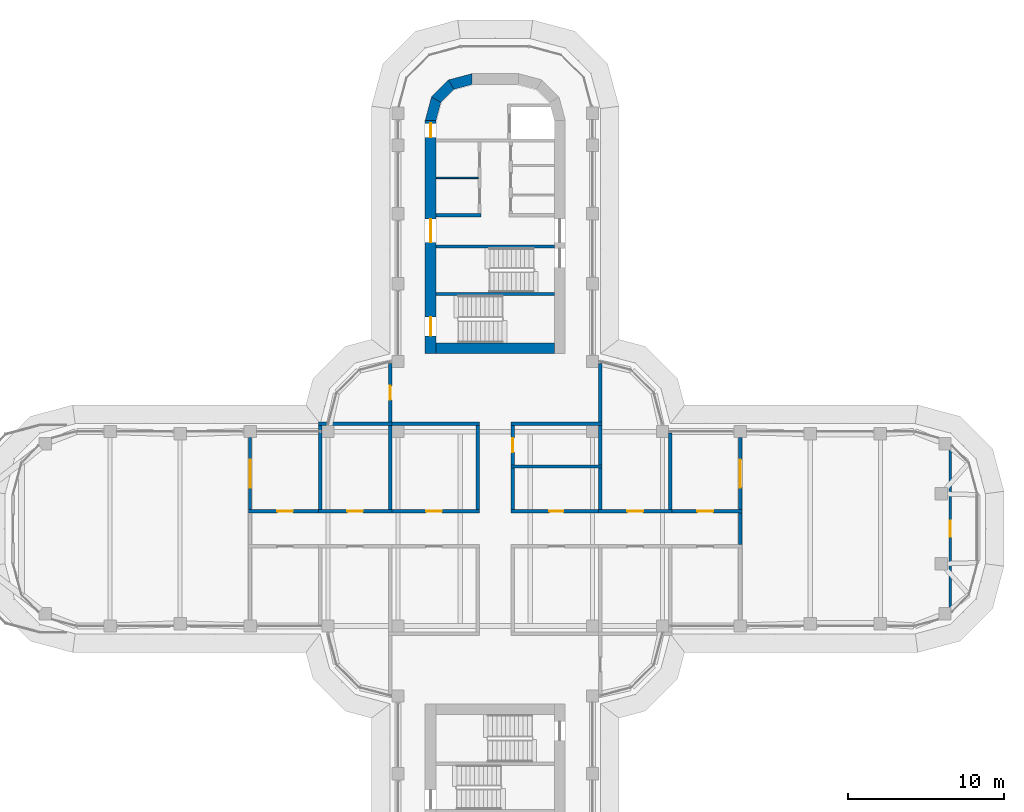
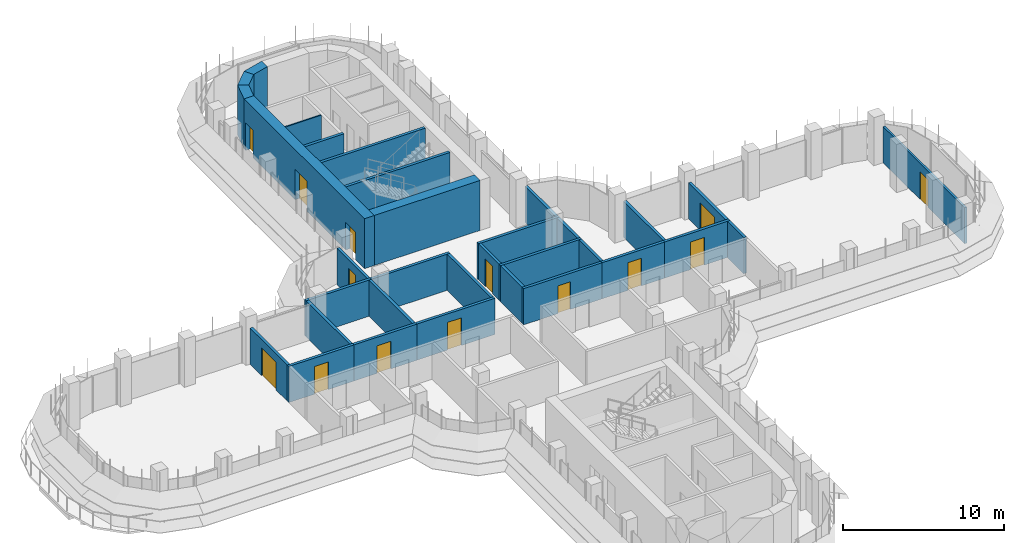
# One storey, part 15 of 20: 33 walls, 14 doors, 14 openings.
"""IFC4 building model written with IfcOpenShell, lengths in metres."""

from ifc_helpers import new_model, si_unit, direction, frame, frame_2d, origin, place, context, subcontext, project, spatial, polyline, rectangle, outline, extrude, material, layer, layer_set, type_object, element, fill, save


model = new_model("IFC4")

# Units and contexts
model_context = context("Model", 3, precision=1e-05, world=origin(), true_north=direction((0.0, 1.0)))
body_context = subcontext(model_context, "Body", "Model", "MODEL_VIEW")
ifc_project = project(units=[si_unit("LENGTHUNIT", "METRE"), si_unit("AREAUNIT", "SQUARE_METRE"), si_unit("VOLUMEUNIT", "CUBIC_METRE"), si_unit("PLANEANGLEUNIT", "RADIAN"), si_unit("MASSUNIT", "GRAM", prefix="KILO")], contexts=[model_context])

# Site, building, storey
site_placement = place(None, origin())
site = spatial("IfcSite", under=ifc_project, at=site_placement, CompositionType="ELEMENT")
building_placement = place(site_placement, origin())
building = spatial("IfcBuilding", under=site, at=building_placement, Name="Zarbagh Exchange Tower", CompositionType="ELEMENT")
storey_placement = place(building_placement, frame((0.0, 0.0, 186.60009765625)))
storey = spatial("IfcBuildingStorey", under=building, at=storey_placement, Name="L45", CompositionType="ELEMENT", Elevation=186.60009765625)

# Wall
ifc_material_1 = material(Name="Dense blockwork", Category="masonry")
ifc_layer_1 = layer(ifc_material_1, 0.10009765625)
ifc_layer_set_1 = layer_set([ifc_layer_1], Name="Core partition 100 mm blockwork")
wall_type_1 = type_object("IfcWallType", Name="Core partition 100 mm blockwork", PredefinedType="PARTITIONING", material=ifc_layer_set_1)
wall_1_placement = place(storey_placement, frame((-3.800048828125, 22.550048828125, 0.0), z_axis=(0.0, 0.0, 1.0), x_axis=(1.0, 0.0, 0.0)))
element("IfcWall", 1, at=wall_1_placement, inside=storey, type_object=wall_type_1, Name="North core partition wall CUT-W-580", PredefinedType="PARTITIONING", context=body_context, shape_type="SweptSolid", body=[
    extrude(rectangle(XDim=2.699951171875, YDim=0.10009765625, at=frame_2d((1.35009765625, 0.0))), origin(), (0.0, 0.0, 1.0), 3.64990234375),
])

# Wall, opening, door
ifc_material_2 = material(Name="Plasterboard partition")
ifc_layer_2 = layer(ifc_material_2, 0.14990234375)
ifc_layer_set_2 = layer_set([ifc_layer_2], Name="PARTITION 150")
wall_type_2 = type_object("IfcWallType", Name="PARTITION 150", PredefinedType="PARTITIONING", material=ifc_layer_set_2)
wall_2_placement = place(storey_placement, frame((29.25, 5.074951171875, 0.0), z_axis=(0.0, 0.0, 1.0), x_axis=(0.0, -1.0, 0.0)))
wall_2 = element("IfcWall", 2, at=wall_2_placement, inside=storey, type_object=wall_type_2, Name="Partition W-2042", PredefinedType="PARTITIONING", context=body_context, shape_type="SweptSolid", body=[
    extrude(rectangle(XDim=10.14990234375, YDim=0.14990234375, at=frame_2d((5.074951171875, 0.0))), origin(), (0.0, 0.0, 1.0), 2.74560546875),
])
opening_1_placement = place(wall_2_placement, frame((4.574951171875, 0.0, 0.0)))
opening_1 = element("IfcOpeningElement", 3, at=opening_1_placement, cuts=wall_2, Name="Opening D-2001", PredefinedType="OPENING", context=body_context, shape_type="SweptSolid", body=[
    extrude(rectangle(XDim=1.0, YDim=2.10009765625, at=frame_2d((0.5, 1.050048828125))), frame((0.0, 0.0849609375, 0.0), z_axis=(0.0, -1.0, 0.0), x_axis=(1.0, 0.0, 0.0)), (0.0, 0.0, 1.0), 0.169921875),
])
ifc_material_3 = material(Name="Timber door leaf", Category="wood")
door_type_1 = type_object("IfcDoorType", Name="DOOR 1000 X 2100", OperationType="NOTDEFINED", PredefinedType="DOOR", material=ifc_material_3)
door_1_placement = place(opening_1_placement, origin())
door_1 = element("IfcDoor", 4, at=door_1_placement, inside=storey, type_object=door_type_1, Name="Door D-2001", OperationType="SINGLE_SWING_RIGHT", OverallHeight=2.10009765625, OverallWidth=1.0, PredefinedType="DOOR", context=body_context, shape_type="SweptSolid", body=[
    extrude(rectangle(XDim=1.0, YDim=2.10009765625, at=frame_2d((0.5, 1.050048828125))), frame((0.0, 0.02490234375, 0.0), z_axis=(0.0, -1.0, 0.0), x_axis=(1.0, 0.0, 0.0)), (0.0, 0.0, 1.0), 0.050048828125),
])
fill(opening_1, door_1)

ifc_material_4 = material(Name="Fire-rated plasterboard partition")
ifc_layer_3 = layer(ifc_material_4, 0.199951171875)
ifc_layer_set_3 = layer_set([ifc_layer_3], Name="RATED PARTITION 200")
wall_type_3 = type_object("IfcWallType", Name="RATED PARTITION 200", PredefinedType="PARTITIONING", material=ifc_layer_set_3)
wall_3_placement = place(storey_placement, frame((1.02490234375, 1.125, 0.0), z_axis=(0.0, 0.0, 1.0), x_axis=(1.0, 0.0, 0.0)))
wall_3 = element("IfcWall", 5, at=wall_3_placement, inside=storey, type_object=wall_type_3, Name="Partition W-2001", PredefinedType="PARTITIONING", context=body_context, shape_type="SweptSolid", body=[
    extrude(rectangle(XDim=5.8251953125, YDim=0.199951171875, at=frame_2d((2.91259765625, 0.0))), origin(), (0.0, 0.0, 1.0), 2.74560546875),
])
opening_2_placement = place(wall_3_placement, frame((2.46240234375, 0.0, 0.0)))
opening_2 = element("IfcOpeningElement", 6, at=opening_2_placement, cuts=wall_3, Name="Opening D-2005", PredefinedType="OPENING", context=body_context, shape_type="SweptSolid", body=[
    extrude(rectangle(XDim=0.89990234375, YDim=2.10009765625, at=frame_2d((0.449951171875, 1.050048828125))), frame((0.0, 0.10986328125, 0.0), z_axis=(0.0, -1.0, 0.0), x_axis=(1.0, 0.0, 0.0)), (0.0, 0.0, 1.0), 0.219970703125),
])
door_type_2 = type_object("IfcDoorType", Name="DOOR 900 X 2100", OperationType="NOTDEFINED", PredefinedType="DOOR", material=ifc_material_3)
door_2_placement = place(opening_2_placement, origin())
door_2 = element("IfcDoor", 7, at=door_2_placement, inside=storey, type_object=door_type_2, Name="Door D-2005", OperationType="SINGLE_SWING_RIGHT", OverallHeight=2.10009765625, OverallWidth=0.89990234375, PredefinedType="DOOR", context=body_context, shape_type="SweptSolid", body=[
    extrude(rectangle(XDim=0.89990234375, YDim=2.10009765625, at=frame_2d((0.449951171875, 1.050048828125))), frame((0.0, 0.02490234375, 0.0), z_axis=(0.0, -1.0, 0.0), x_axis=(1.0, 0.0, 0.0)), (0.0, 0.0, 1.0), 0.050048828125),
])
fill(opening_2, door_2)

wall_4_placement = place(storey_placement, frame((6.64990234375, 1.125, 0.0), z_axis=(0.0, 0.0, 1.0), x_axis=(1.0, 0.0, 0.0)))
wall_4 = element("IfcWall", 8, at=wall_4_placement, inside=storey, type_object=wall_type_3, Name="Partition W-2002", PredefinedType="PARTITIONING", context=body_context, shape_type="SweptSolid", body=[
    extrude(rectangle(XDim=4.7001953125, YDim=0.199951171875, at=frame_2d((2.35009765625, 0.0))), origin(), (0.0, 0.0, 1.0), 2.74560546875),
])
opening_3_placement = place(wall_4_placement, frame((1.85009765625, 0.0, 0.0)))
opening_3 = element("IfcOpeningElement", 9, at=opening_3_placement, cuts=wall_4, Name="Opening D-2007", PredefinedType="OPENING", context=body_context, shape_type="SweptSolid", body=[
    extrude(rectangle(XDim=1.0, YDim=2.10009765625, at=frame_2d((0.5, 1.050048828125))), frame((0.0, 0.10986328125, 0.0), z_axis=(0.0, -1.0, 0.0), x_axis=(1.0, 0.0, 0.0)), (0.0, 0.0, 1.0), 0.219970703125),
])
ifc_material_5 = material(Name="Steel door set", Category="steel")
door_type_3 = type_object("IfcDoorType", Name="FIRE DOOR 1000 X 2100 FD30S", OperationType="NOTDEFINED", PredefinedType="DOOR", material=ifc_material_5)
door_3_placement = place(opening_3_placement, origin())
door_3 = element("IfcDoor", 10, at=door_3_placement, inside=storey, type_object=door_type_3, Name="Door D-2007", OperationType="SINGLE_SWING_RIGHT", OverallHeight=2.10009765625, OverallWidth=1.0, PredefinedType="DOOR", context=body_context, shape_type="SweptSolid", body=[
    extrude(rectangle(XDim=1.0, YDim=2.10009765625, at=frame_2d((0.5, 1.050048828125))), frame((0.0, 0.02490234375, 0.0), z_axis=(0.0, -1.0, 0.0), x_axis=(1.0, 0.0, 0.0)), (0.0, 0.0, 1.0), 0.050048828125),
])
fill(opening_3, door_3)

wall_5_placement = place(storey_placement, frame((-6.85009765625, 1.125, 0.0), z_axis=(0.0, 0.0, 1.0), x_axis=(1.0, 0.0, 0.0)))
wall_5 = element("IfcWall", 11, at=wall_5_placement, inside=storey, type_object=wall_type_3, Name="Partition W-2003", PredefinedType="PARTITIONING", context=body_context, shape_type="SweptSolid", body=[
    extrude(rectangle(XDim=5.8251953125, YDim=0.199951171875, at=frame_2d((2.91259765625, 0.0))), origin(), (0.0, 0.0, 1.0), 2.74560546875),
])
opening_4_placement = place(wall_5_placement, frame((2.41259765625, 0.0, 0.0)))
opening_4 = element("IfcOpeningElement", 12, at=opening_4_placement, cuts=wall_5, Name="Opening D-2008", PredefinedType="OPENING", context=body_context, shape_type="SweptSolid", body=[
    extrude(rectangle(XDim=1.0, YDim=2.10009765625, at=frame_2d((0.5, 1.050048828125))), frame((0.0, 0.10986328125, 0.0), z_axis=(0.0, -1.0, 0.0), x_axis=(1.0, 0.0, 0.0)), (0.0, 0.0, 1.0), 0.219970703125),
])
door_4_placement = place(opening_4_placement, origin())
door_4 = element("IfcDoor", 13, at=door_4_placement, inside=storey, type_object=door_type_3, Name="Door D-2008", OperationType="SINGLE_SWING_RIGHT", OverallHeight=2.10009765625, OverallWidth=1.0, PredefinedType="DOOR", context=body_context, shape_type="SweptSolid", body=[
    extrude(rectangle(XDim=1.0, YDim=2.10009765625, at=frame_2d((0.5, 1.050048828125))), frame((0.0, 0.02490234375, 0.0), z_axis=(0.0, -1.0, 0.0), x_axis=(1.0, 0.0, 0.0)), (0.0, 0.0, 1.0), 0.050048828125),
])
fill(opening_4, door_4)

wall_6_placement = place(storey_placement, frame((-11.35009765625, 1.125, 0.0), z_axis=(0.0, 0.0, 1.0), x_axis=(1.0, 0.0, 0.0)))
wall_6 = element("IfcWall", 14, at=wall_6_placement, inside=storey, type_object=wall_type_3, Name="Partition W-2004", PredefinedType="PARTITIONING", context=body_context, shape_type="SweptSolid", body=[
    extrude(rectangle(XDim=4.7001953125, YDim=0.199951171875, at=frame_2d((2.35009765625, 0.0))), origin(), (0.0, 0.0, 1.0), 2.74560546875),
])
opening_5_placement = place(wall_6_placement, frame((1.85009765625, 0.0, 0.0)))
opening_5 = element("IfcOpeningElement", 15, at=opening_5_placement, cuts=wall_6, Name="Opening D-2009", PredefinedType="OPENING", context=body_context, shape_type="SweptSolid", body=[
    extrude(rectangle(XDim=1.0, YDim=2.10009765625, at=frame_2d((0.5, 1.050048828125))), frame((0.0, 0.10986328125, 0.0), z_axis=(0.0, -1.0, 0.0), x_axis=(1.0, 0.0, 0.0)), (0.0, 0.0, 1.0), 0.219970703125),
])
door_5_placement = place(opening_5_placement, origin())
door_5 = element("IfcDoor", 16, at=door_5_placement, inside=storey, type_object=door_type_3, Name="Door D-2009", OperationType="SINGLE_SWING_RIGHT", OverallHeight=2.10009765625, OverallWidth=1.0, PredefinedType="DOOR", context=body_context, shape_type="SweptSolid", body=[
    extrude(rectangle(XDim=1.0, YDim=2.10009765625, at=frame_2d((0.5, 1.050048828125))), frame((0.0, 0.02490234375, 0.0), z_axis=(0.0, -1.0, 0.0), x_axis=(1.0, 0.0, 0.0)), (0.0, 0.0, 1.0), 0.050048828125),
])
fill(opening_5, door_5)

wall_7_placement = place(storey_placement, frame((11.14990234375, 1.125, 0.0), z_axis=(0.0, 0.0, 1.0), x_axis=(1.0, 0.0, 0.0)))
wall_7 = element("IfcWall", 17, at=wall_7_placement, inside=storey, type_object=wall_type_3, Name="Partition W-2009", PredefinedType="PARTITIONING", context=body_context, shape_type="SweptSolid", body=[
    extrude(rectangle(XDim=4.7001953125, YDim=0.199951171875, at=frame_2d((2.35009765625, 0.0))), origin(), (0.0, 0.0, 1.0), 2.74560546875),
])
opening_6_placement = place(wall_7_placement, frame((1.85009765625, 0.0, 0.0)))
opening_6 = element("IfcOpeningElement", 18, at=opening_6_placement, cuts=wall_7, Name="Opening D-2003", PredefinedType="OPENING", context=body_context, shape_type="SweptSolid", body=[
    extrude(rectangle(XDim=1.0, YDim=2.10009765625, at=frame_2d((0.5, 1.050048828125))), frame((0.0, 0.10986328125, 0.0), z_axis=(0.0, -1.0, 0.0), x_axis=(1.0, 0.0, 0.0)), (0.0, 0.0, 1.0), 0.219970703125),
])
door_6_placement = place(opening_6_placement, origin())
door_6 = element("IfcDoor", 19, at=door_6_placement, inside=storey, type_object=door_type_3, Name="Door D-2003", OperationType="SINGLE_SWING_RIGHT", OverallHeight=2.10009765625, OverallWidth=1.0, PredefinedType="DOOR", context=body_context, shape_type="SweptSolid", body=[
    extrude(rectangle(XDim=1.0, YDim=2.10009765625, at=frame_2d((0.5, 1.050048828125))), frame((0.0, 0.02490234375, 0.0), z_axis=(0.0, -1.0, 0.0), x_axis=(1.0, 0.0, 0.0)), (0.0, 0.0, 1.0), 0.050048828125),
])
fill(opening_6, door_6)

# Wall
wall_8_placement = place(storey_placement, frame((15.75, -1.02490234375, 0.0), z_axis=(0.0, 0.0, 1.0), x_axis=(0.0, 1.0, 0.0)))
element("IfcWall", 20, at=wall_8_placement, inside=storey, type_object=wall_type_3, Name="Partition W-2011", PredefinedType="PARTITIONING", context=body_context, shape_type="SweptSolid", body=[
    extrude(rectangle(XDim=2.0498046875, YDim=0.199951171875, at=frame_2d((1.02490234375, 0.0))), origin(), (0.0, 0.0, 1.0), 2.74560546875),
])

# Wall, opening, door
wall_9_placement = place(storey_placement, frame((-15.85009765625, 1.125, 0.0), z_axis=(0.0, 0.0, 1.0), x_axis=(1.0, 0.0, 0.0)))
wall_9 = element("IfcWall", 21, at=wall_9_placement, inside=storey, type_object=wall_type_3, Name="Partition W-2012", PredefinedType="PARTITIONING", context=body_context, shape_type="SweptSolid", body=[
    extrude(rectangle(XDim=4.7001953125, YDim=0.199951171875, at=frame_2d((2.35009765625, 0.0))), origin(), (0.0, 0.0, 1.0), 2.74560546875),
])
opening_7_placement = place(wall_9_placement, frame((1.85009765625, 0.0, 0.0)))
opening_7 = element("IfcOpeningElement", 22, at=opening_7_placement, cuts=wall_9, Name="Opening D-2017", PredefinedType="OPENING", context=body_context, shape_type="SweptSolid", body=[
    extrude(rectangle(XDim=1.0, YDim=2.10009765625, at=frame_2d((0.5, 1.050048828125))), frame((0.0, 0.10986328125, 0.0), z_axis=(0.0, -1.0, 0.0), x_axis=(1.0, 0.0, 0.0)), (0.0, 0.0, 1.0), 0.219970703125),
])
door_7_placement = place(opening_7_placement, origin())
door_7 = element("IfcDoor", 23, at=door_7_placement, inside=storey, type_object=door_type_3, Name="Door D-2017", OperationType="SINGLE_SWING_RIGHT", OverallHeight=2.10009765625, OverallWidth=1.0, PredefinedType="DOOR", context=body_context, shape_type="SweptSolid", body=[
    extrude(rectangle(XDim=1.0, YDim=2.10009765625, at=frame_2d((0.5, 1.050048828125))), frame((0.0, 0.02490234375, 0.0), z_axis=(0.0, -1.0, 0.0), x_axis=(1.0, 0.0, 0.0)), (0.0, 0.0, 1.0), 0.050048828125),
])
fill(opening_7, door_7)

# Wall
wall_10_placement = place(storey_placement, frame((1.125, 1.22509765625, 0.0), z_axis=(0.0, 0.0, 1.0), x_axis=(0.0, 1.0, 0.0)))
element("IfcWall", 24, at=wall_10_placement, inside=storey, type_object=wall_type_3, Name="Partition W-2015", PredefinedType="PARTITIONING", context=body_context, shape_type="SweptSolid", body=[
    extrude(rectangle(XDim=2.6748046875, YDim=0.199951171875, at=frame_2d((1.33740234375, 0.0))), origin(), (0.0, 0.0, 1.0), 2.74560546875),
])

# Wall, opening, door
wall_11_placement = place(storey_placement, frame((1.125, 6.64990234375, 0.0), z_axis=(0.0, 0.0, 1.0), x_axis=(0.0, -1.0, 0.0)))
wall_11 = element("IfcWall", 25, at=wall_11_placement, inside=storey, type_object=wall_type_3, Name="Partition W-2016", PredefinedType="PARTITIONING", context=body_context, shape_type="SweptSolid", body=[
    extrude(rectangle(XDim=2.5498046875, YDim=0.199951171875, at=frame_2d((1.27490234375, 0.0))), origin(), (0.0, 0.0, 1.0), 2.74560546875),
])
opening_8_placement = place(wall_11_placement, frame((0.824951171875, 0.0, 0.0)))
opening_8 = element("IfcOpeningElement", 26, at=opening_8_placement, cuts=wall_11, Name="Opening D-2006", PredefinedType="OPENING", context=body_context, shape_type="SweptSolid", body=[
    extrude(rectangle(XDim=0.89990234375, YDim=2.10009765625, at=frame_2d((0.449951171875, 1.050048828125))), frame((0.0, 0.10986328125, 0.0), z_axis=(0.0, -1.0, 0.0), x_axis=(1.0, 0.0, 0.0)), (0.0, 0.0, 1.0), 0.219970703125),
])
door_8_placement = place(opening_8_placement, origin())
door_8 = element("IfcDoor", 27, at=door_8_placement, inside=storey, type_object=door_type_2, Name="Door D-2006", OperationType="SINGLE_SWING_RIGHT", OverallHeight=2.10009765625, OverallWidth=0.89990234375, PredefinedType="DOOR", context=body_context, shape_type="SweptSolid", body=[
    extrude(rectangle(XDim=0.89990234375, YDim=2.10009765625, at=frame_2d((0.449951171875, 1.050048828125))), frame((0.0, 0.02490234375, 0.0), z_axis=(0.0, -1.0, 0.0), x_axis=(1.0, 0.0, 0.0)), (0.0, 0.0, 1.0), 0.050048828125),
])
fill(opening_8, door_8)

# Walls
wall_12_placement = place(storey_placement, frame((-1.125, 1.22509765625, 0.0), z_axis=(0.0, 0.0, 1.0), x_axis=(0.0, 1.0, 0.0)))
element("IfcWall", 28, at=wall_12_placement, inside=storey, type_object=wall_type_3, Name="Partition W-2017", PredefinedType="PARTITIONING", context=body_context, shape_type="SweptSolid", body=[
    extrude(rectangle(XDim=5.4248046875, YDim=0.199951171875, at=frame_2d((2.71240234375, 0.0))), origin(), (0.0, 0.0, 1.0), 2.74560546875),
])
wall_13_placement = place(storey_placement, frame((1.02490234375, 6.75, 0.0), z_axis=(0.0, 0.0, 1.0), x_axis=(1.0, 0.0, 0.0)))
element("IfcWall", 29, at=wall_13_placement, inside=storey, type_object=wall_type_3, Name="Partition W-2020", PredefinedType="PARTITIONING", context=body_context, shape_type="SweptSolid", body=[
    extrude(rectangle(XDim=5.8251953125, YDim=0.199951171875, at=frame_2d((2.91259765625, 0.0))), origin(), (0.0, 0.0, 1.0), 2.74560546875),
])
wall_14_placement = place(storey_placement, frame((6.75, 6.85009765625, 0.0), z_axis=(0.0, 0.0, 1.0), x_axis=(0.0, 1.0, 0.0)))
element("IfcWall", 30, at=wall_14_placement, inside=storey, type_object=wall_type_3, Name="Partition W-2021", PredefinedType="PARTITIONING", context=body_context, shape_type="SweptSolid", body=[
    extrude(rectangle(XDim=3.77978515625, YDim=0.199951171875, at=frame_2d((1.889892578125, 0.0))), origin(), (0.0, 0.0, 1.0), 2.74560546875),
])
wall_15_placement = place(storey_placement, frame((-6.85009765625, 6.75, 0.0), z_axis=(0.0, 0.0, 1.0), x_axis=(1.0, 0.0, 0.0)))
element("IfcWall", 31, at=wall_15_placement, inside=storey, type_object=wall_type_3, Name="Partition W-2022", PredefinedType="PARTITIONING", context=body_context, shape_type="SweptSolid", body=[
    extrude(rectangle(XDim=5.8251953125, YDim=0.199951171875, at=frame_2d((2.91259765625, 0.0))), origin(), (0.0, 0.0, 1.0), 2.74560546875),
])

# Wall, opening, door
wall_16_placement = place(storey_placement, frame((-6.75, 6.85009765625, 0.0), z_axis=(0.0, 0.0, 1.0), x_axis=(0.0, 1.0, 0.0)))
wall_16 = element("IfcWall", 32, at=wall_16_placement, inside=storey, type_object=wall_type_3, Name="Partition W-2023", PredefinedType="PARTITIONING", context=body_context, shape_type="SweptSolid", body=[
    extrude(rectangle(XDim=3.77978515625, YDim=0.199951171875, at=frame_2d((1.889892578125, 0.0))), origin(), (0.0, 0.0, 1.0), 2.74560546875),
])
opening_9_placement = place(wall_16_placement, frame((1.43994140625, 0.0, 0.0)))
opening_9 = element("IfcOpeningElement", 33, at=opening_9_placement, cuts=wall_16, Name="Opening D-2010", PredefinedType="OPENING", context=body_context, shape_type="SweptSolid", body=[
    extrude(rectangle(XDim=0.89990234375, YDim=2.10009765625, at=frame_2d((0.449951171875, 1.050048828125))), frame((0.0, 0.10986328125, 0.0), z_axis=(0.0, -1.0, 0.0), x_axis=(1.0, 0.0, 0.0)), (0.0, 0.0, 1.0), 0.219970703125),
])
door_9_placement = place(opening_9_placement, origin())
door_9 = element("IfcDoor", 34, at=door_9_placement, inside=storey, type_object=door_type_2, Name="Door D-2010", OperationType="SINGLE_SWING_LEFT", OverallHeight=2.10009765625, OverallWidth=0.89990234375, PredefinedType="DOOR", context=body_context, shape_type="SweptSolid", body=[
    extrude(rectangle(XDim=0.89990234375, YDim=2.10009765625, at=frame_2d((0.449951171875, 1.050048828125))), frame((0.0, 0.02490234375, 0.0), z_axis=(0.0, -1.0, 0.0), x_axis=(1.0, 0.0, 0.0)), (0.0, 0.0, 1.0), 0.050048828125),
])
fill(opening_9, door_9)

# Walls
wall_17_placement = place(storey_placement, frame((1.02490234375, 4.0, 0.0), z_axis=(0.0, 0.0, 1.0), x_axis=(1.0, 0.0, 0.0)))
element("IfcWall", 35, at=wall_17_placement, inside=storey, type_object=wall_type_3, Name="Partition W-2028", PredefinedType="PARTITIONING", context=body_context, shape_type="SweptSolid", body=[
    extrude(rectangle(XDim=5.8251953125, YDim=0.199951171875, at=frame_2d((2.91259765625, 0.0))), origin(), (0.0, 0.0, 1.0), 2.74560546875),
])
wall_18_placement = place(storey_placement, frame((6.75, 1.22509765625, 0.0), z_axis=(0.0, 0.0, 1.0), x_axis=(0.0, 1.0, 0.0)))
element("IfcWall", 36, at=wall_18_placement, inside=storey, type_object=wall_type_3, Name="Partition W-2029", PredefinedType="PARTITIONING", context=body_context, shape_type="SweptSolid", body=[
    extrude(rectangle(XDim=2.6748046875, YDim=0.199951171875, at=frame_2d((1.33740234375, 0.0))), origin(), (0.0, 0.0, 1.0), 2.74560546875),
])
wall_19_placement = place(storey_placement, frame((6.75, 4.10009765625, 0.0), z_axis=(0.0, 0.0, 1.0), x_axis=(0.0, 1.0, 0.0)))
element("IfcWall", 37, at=wall_19_placement, inside=storey, type_object=wall_type_3, Name="Partition W-2030", PredefinedType="PARTITIONING", context=body_context, shape_type="SweptSolid", body=[
    extrude(rectangle(XDim=2.5498046875, YDim=0.199951171875, at=frame_2d((1.27490234375, 0.0))), origin(), (0.0, 0.0, 1.0), 2.74560546875),
])
wall_20_placement = place(storey_placement, frame((11.25, 1.22509765625, 0.0), z_axis=(0.0, 0.0, 1.0), x_axis=(0.0, 1.0, 0.0)))
element("IfcWall", 38, at=wall_20_placement, inside=storey, type_object=wall_type_3, Name="Partition W-2031", PredefinedType="PARTITIONING", context=body_context, shape_type="SweptSolid", body=[
    extrude(rectangle(XDim=4.94482421875, YDim=0.199951171875, at=frame_2d((2.472412109375, 0.0))), origin(), (0.0, 0.0, 1.0), 2.74560546875),
])
wall_21_placement = place(storey_placement, frame((-6.75, 1.22509765625, 0.0), z_axis=(0.0, 0.0, 1.0), x_axis=(0.0, 1.0, 0.0)))
element("IfcWall", 39, at=wall_21_placement, inside=storey, type_object=wall_type_3, Name="Partition W-2032", PredefinedType="PARTITIONING", context=body_context, shape_type="SweptSolid", body=[
    extrude(rectangle(XDim=5.4248046875, YDim=0.199951171875, at=frame_2d((2.71240234375, 0.0))), origin(), (0.0, 0.0, 1.0), 2.74560546875),
])
wall_22_placement = place(storey_placement, frame((-11.35009765625, 6.75, 0.0), z_axis=(0.0, 0.0, 1.0), x_axis=(1.0, 0.0, 0.0)))
element("IfcWall", 40, at=wall_22_placement, inside=storey, type_object=wall_type_3, Name="Partition W-2033", PredefinedType="PARTITIONING", context=body_context, shape_type="SweptSolid", body=[
    extrude(rectangle(XDim=4.7001953125, YDim=0.199951171875, at=frame_2d((2.35009765625, 0.0))), origin(), (0.0, 0.0, 1.0), 2.74560546875),
])
wall_23_placement = place(storey_placement, frame((-11.25, 1.22509765625, 0.0), z_axis=(0.0, 0.0, 1.0), x_axis=(0.0, 1.0, 0.0)))
element("IfcWall", 41, at=wall_23_placement, inside=storey, type_object=wall_type_3, Name="Partition W-2034", PredefinedType="PARTITIONING", context=body_context, shape_type="SweptSolid", body=[
    extrude(rectangle(XDim=5.4248046875, YDim=0.199951171875, at=frame_2d((2.71240234375, 0.0))), origin(), (0.0, 0.0, 1.0), 2.74560546875),
])

# Wall, opening, door
wall_24_placement = place(storey_placement, frame((15.75, 5.85009765625, 0.0), z_axis=(0.0, 0.0, 1.0), x_axis=(0.0, -1.0, 0.0)))
wall_24 = element("IfcWall", 42, at=wall_24_placement, inside=storey, type_object=wall_type_3, Name="Partition W-2040", PredefinedType="PARTITIONING", context=body_context, shape_type="SweptSolid", body=[
    extrude(rectangle(XDim=4.625, YDim=0.199951171875, at=frame_2d((2.3125, 0.0))), origin(), (0.0, 0.0, 1.0), 2.74560546875),
])
opening_10_placement = place(wall_24_placement, frame((1.41259765625, 0.0, 0.0)))
opening_10 = element("IfcOpeningElement", 43, at=opening_10_placement, cuts=wall_24, Name="Opening D-2002", PredefinedType="OPENING", context=body_context, shape_type="SweptSolid", body=[
    extrude(rectangle(XDim=1.800048828125, YDim=2.10009765625, at=frame_2d((0.89990234375, 1.050048828125))), frame((0.0, 0.10986328125, 0.0), z_axis=(0.0, -1.0, 0.0), x_axis=(1.0, 0.0, 0.0)), (0.0, 0.0, 1.0), 0.219970703125),
])
door_type_4 = type_object("IfcDoorType", Name="FIRE DOUBLE DOOR 1800 X 2100 FD30S", OperationType="DOUBLE_DOOR_SINGLE_SWING", PredefinedType="DOOR", material=ifc_material_5)
door_10_placement = place(opening_10_placement, origin())
door_10 = element("IfcDoor", 44, at=door_10_placement, inside=storey, type_object=door_type_4, Name="Door D-2002", OperationType="DOUBLE_DOOR_SINGLE_SWING", OverallHeight=2.10009765625, OverallWidth=1.800048828125, PredefinedType="DOOR", context=body_context, shape_type="SweptSolid", body=[
    extrude(rectangle(XDim=1.800048828125, YDim=2.10009765625, at=frame_2d((0.89990234375, 1.050048828125))), frame((0.0, 0.02490234375, 0.0), z_axis=(0.0, -1.0, 0.0), x_axis=(1.0, 0.0, 0.0)), (0.0, 0.0, 1.0), 0.050048828125),
])
fill(opening_10, door_10)

wall_25_placement = place(storey_placement, frame((-15.75, 1.22509765625, 0.0), z_axis=(0.0, 0.0, 1.0), x_axis=(0.0, 1.0, 0.0)))
wall_25 = element("IfcWall", 45, at=wall_25_placement, inside=storey, type_object=wall_type_3, Name="Partition W-2043", PredefinedType="PARTITIONING", context=body_context, shape_type="SweptSolid", body=[
    extrude(rectangle(XDim=4.625, YDim=0.199951171875, at=frame_2d((2.3125, 0.0))), origin(), (0.0, 0.0, 1.0), 2.74560546875),
])
opening_11_placement = place(wall_25_placement, frame((1.41259765625, 0.0, 0.0)))
opening_11 = element("IfcOpeningElement", 46, at=opening_11_placement, cuts=wall_25, Name="Opening D-2016", PredefinedType="OPENING", context=body_context, shape_type="SweptSolid", body=[
    extrude(rectangle(XDim=1.800048828125, YDim=2.10009765625, at=frame_2d((0.89990234375, 1.050048828125))), frame((0.0, 0.10986328125, 0.0), z_axis=(0.0, -1.0, 0.0), x_axis=(1.0, 0.0, 0.0)), (0.0, 0.0, 1.0), 0.219970703125),
])
door_11_placement = place(opening_11_placement, origin())
door_11 = element("IfcDoor", 47, at=door_11_placement, inside=storey, type_object=door_type_4, Name="Door D-2016", OperationType="DOUBLE_DOOR_SINGLE_SWING", OverallHeight=2.10009765625, OverallWidth=1.800048828125, PredefinedType="DOOR", context=body_context, shape_type="SweptSolid", body=[
    extrude(rectangle(XDim=1.800048828125, YDim=2.10009765625, at=frame_2d((0.89990234375, 1.050048828125))), frame((0.0, 0.02490234375, 0.0), z_axis=(0.0, -1.0, 0.0), x_axis=(1.0, 0.0, 0.0)), (0.0, 0.0, 1.0), 0.050048828125),
])
fill(opening_11, door_11)

# Walls
ifc_material_6 = material(Name="Concrete C50/60", Category="concrete")
ifc_layer_4 = layer(ifc_material_6, 0.699951171875)
ifc_layer_set_4 = layer_set([ifc_layer_4], Name="RC core corner wall 700 C50/60")
wall_type_4 = type_object("IfcWallType", Name="RC core corner wall 700 C50/60", PredefinedType="SHEAR", material=ifc_layer_set_4)
wall_26_placement = place(storey_placement, origin())
element("IfcWall", 48, at=wall_26_placement, inside=storey, type_object=wall_type_4, Name="CW6 core N corner W", PredefinedType="SHEAR", context=body_context, shape_type="SweptSolid", body=[
    extrude(outline(polyline([(-4.5, 26.25), (-4.09814453125, 27.75), (-3.491943359375, 27.39990234375), (-3.800048828125, 26.25), (-4.5, 26.25)])), origin(), (0.0, 0.0, 1.0), 3.7998046875),
])
wall_27_placement = place(storey_placement, origin())
element("IfcWall", 49, at=wall_27_placement, inside=storey, type_object=wall_type_4, Name="CW6 core N corner W", PredefinedType="SHEAR", context=body_context, shape_type="SweptSolid", body=[
    extrude(outline(polyline([(-4.09814453125, 27.75), (-3.0, 28.84814453125), (-2.64990234375, 28.241943359375), (-3.491943359375, 27.39990234375), (-4.09814453125, 27.75)])), origin(), (0.0, 0.0, 1.0), 3.7998046875),
])
wall_28_placement = place(storey_placement, origin())
element("IfcWall", 50, at=wall_28_placement, inside=storey, type_object=wall_type_4, Name="CW6 core N corner W", PredefinedType="SHEAR", context=body_context, shape_type="SweptSolid", body=[
    extrude(outline(polyline([(-3.0, 28.84814453125), (-1.5, 29.25), (-1.5, 28.550048828125), (-2.64990234375, 28.241943359375), (-3.0, 28.84814453125)])), origin(), (0.0, 0.0, 1.0), 3.7998046875),
])

# Wall, openings, doors
ifc_layer_5 = layer(ifc_material_6, 0.699951171875)
ifc_layer_set_5 = layer_set([ifc_layer_5], Name="RC core wall 700 C50/60")
wall_type_5 = type_object("IfcWallType", Name="RC core wall 700 C50/60", PredefinedType="SHEAR", material=ifc_layer_set_5)
wall_29_placement = place(storey_placement, frame((-4.14990234375, 11.25, 0.0), z_axis=(0.0, 0.0, 1.0), x_axis=(0.0, 1.0, 0.0)))
wall_29 = element("IfcWall", 51, at=wall_29_placement, inside=storey, type_object=wall_type_5, Name="CW5 core N W", PredefinedType="SHEAR", context=body_context, shape_type="SweptSolid", body=[
    extrude(rectangle(XDim=15.0, YDim=0.699951171875, at=frame_2d((7.5, 0.0))), origin(), (0.0, 0.0, 1.0), 3.7998046875),
])
opening_12_placement = place(wall_29_placement, frame((7.14990234375, 0.0, 0.0)))
opening_12 = element("IfcOpeningElement", 52, at=opening_12_placement, cuts=wall_29, Name="Opening CD1-1500", PredefinedType="OPENING", context=body_context, shape_type="SweptSolid", body=[
    extrude(rectangle(XDim=1.5, YDim=2.300048828125, at=frame_2d((0.75, 1.14990234375))), frame((0.0, 0.35986328125, 0.0), z_axis=(0.0, -1.0, 0.0), x_axis=(1.0, 0.0, 0.0)), (0.0, 0.0, 1.0), 0.719970703125),
])
opening_13_placement = place(wall_29_placement, frame((13.89990234375, 0.0, 0.0)))
opening_13 = element("IfcOpeningElement", 53, at=opening_13_placement, cuts=wall_29, Name="Opening CD2-900", PredefinedType="OPENING", context=body_context, shape_type="SweptSolid", body=[
    extrude(rectangle(XDim=0.89990234375, YDim=2.10009765625, at=frame_2d((0.449951171875, 1.050048828125))), frame((0.0, 0.35986328125, 0.0), z_axis=(0.0, -1.0, 0.0), x_axis=(1.0, 0.0, 0.0)), (0.0, 0.0, 1.0), 0.719970703125),
])
opening_14_placement = place(wall_29_placement, frame((1.14990234375, 0.0, 0.0)))
opening_14 = element("IfcOpeningElement", 54, at=opening_14_placement, cuts=wall_29, Name="Opening SD1-1200", PredefinedType="OPENING", context=body_context, shape_type="SweptSolid", body=[
    extrude(rectangle(XDim=1.199951171875, YDim=2.10009765625, at=frame_2d((0.60009765625, 1.050048828125))), frame((0.0, 0.35986328125, 0.0), z_axis=(0.0, -1.0, 0.0), x_axis=(1.0, 0.0, 0.0)), (0.0, 0.0, 1.0), 0.719970703125),
])
ifc_material_7 = material(Name="Steel", Category="steel")
door_type_5 = type_object("IfcDoorType", Name="Exit stair door 1200 x 2100", OperationType="NOTDEFINED", PredefinedType="DOOR", material=ifc_material_7)
door_12_placement = place(opening_14_placement, origin())
door_12 = element("IfcDoor", 55, at=door_12_placement, inside=storey, type_object=door_type_5, Name="North core stair door ST2", OperationType="SINGLE_SWING_RIGHT", OverallHeight=2.10009765625, OverallWidth=1.199951171875, PredefinedType="DOOR", context=body_context, shape_type="SweptSolid", body=[
    extrude(rectangle(XDim=1.199951171875, YDim=2.10009765625, at=frame_2d((0.60009765625, 1.050048828125))), frame((0.0, 0.02490234375, 0.0), z_axis=(0.0, -1.0, 0.0), x_axis=(1.0, 0.0, 0.0)), (0.0, 0.0, 1.0), 0.050048828125),
])
fill(opening_14, door_12)
door_type_6 = type_object("IfcDoorType", Name="Firefighting lobby door 900 x 2100", OperationType="NOTDEFINED", PredefinedType="DOOR", material=ifc_material_7)
door_13_placement = place(opening_13_placement, origin())
door_13 = element("IfcDoor", 56, at=door_13_placement, inside=storey, type_object=door_type_6, Name="North core firefighting lobby door FF-W", OperationType="SINGLE_SWING_LEFT", OverallHeight=2.10009765625, OverallWidth=0.89990234375, PredefinedType="DOOR", context=body_context, shape_type="SweptSolid", body=[
    extrude(rectangle(XDim=0.89990234375, YDim=2.10009765625, at=frame_2d((0.449951171875, 1.050048828125))), frame((0.0, 0.02490234375, 0.0), z_axis=(0.0, -1.0, 0.0), x_axis=(1.0, 0.0, 0.0)), (0.0, 0.0, 1.0), 0.050048828125),
])
fill(opening_13, door_13)
door_type_7 = type_object("IfcDoorType", Name="Lift lobby double door 1500 x 2300", OperationType="NOTDEFINED", PredefinedType="DOOR", material=ifc_material_7)
door_14_placement = place(opening_12_placement, origin())
door_14 = element("IfcDoor", 57, at=door_14_placement, inside=storey, type_object=door_type_7, Name="North core lift lobby door LOBBY-W", OperationType="DOUBLE_DOOR_SINGLE_SWING", OverallHeight=2.300048828125, OverallWidth=1.5, PredefinedType="DOOR", context=body_context, shape_type="SweptSolid", body=[
    extrude(rectangle(XDim=1.5, YDim=2.300048828125, at=frame_2d((0.75, 1.14990234375))), frame((0.0, 0.02490234375, 0.0), z_axis=(0.0, -1.0, 0.0), x_axis=(1.0, 0.0, 0.0)), (0.0, 0.0, 1.0), 0.050048828125),
])
fill(opening_12, door_14)

# Walls
wall_30_placement = place(storey_placement, frame((-3.800048828125, 11.60009765625, 0.0), z_axis=(0.0, 0.0, 1.0), x_axis=(1.0, 0.0, 0.0)))
element("IfcWall", 58, at=wall_30_placement, inside=storey, type_object=wall_type_5, Name="CW5 core N inner end", PredefinedType="SHEAR", context=body_context, shape_type="SweptSolid", body=[
    extrude(rectangle(XDim=7.60009765625, YDim=0.699951171875, at=frame_2d((3.800048828125, 0.0))), origin(), (0.0, 0.0, 1.0), 3.7998046875),
])
ifc_layer_6 = layer(ifc_material_1, 0.199951171875)
ifc_layer_set_6 = layer_set([ifc_layer_6], Name="Shaft wall 200 mm blockwork")
wall_type_6 = type_object("IfcWallType", Name="Shaft wall 200 mm blockwork", PredefinedType="PARTITIONING", material=ifc_layer_set_6)
wall_31_placement = place(storey_placement, frame((-3.800048828125, 20.14990234375, 0.0), z_axis=(0.0, 0.0, 1.0), x_axis=(1.0, 0.0, 0.0)))
element("IfcWall", 59, at=wall_31_placement, inside=storey, type_object=wall_type_6, Name="North core shaft wall AB-W", PredefinedType="PARTITIONING", context=body_context, shape_type="SweptSolid", body=[
    extrude(rectangle(XDim=2.900146484375, YDim=0.199951171875, at=frame_2d((1.4501953125, 0.0))), origin(), (0.0, 0.0, 1.0), 3.64990234375),
])
ifc_material_8 = material(Name="Concrete C40/50", Category="concrete")
ifc_layer_7 = layer(ifc_material_8, 0.199951171875)
ifc_layer_set_7 = layer_set([ifc_layer_7], Name="Stair enclosure wall 200 mm RC C40/50")
wall_type_7 = type_object("IfcWallType", Name="Stair enclosure wall 200 mm RC C40/50", PredefinedType="SHEAR", material=ifc_layer_set_7)
for number, where, z_axis, x_axis, name in (
    (60, (-3.800048828125, 18.14990234375, 0.0), (0.0, 0.0, 1.0), (1.0, 0.0, 0.0), "North core stair wall BS"),
    (61, (-3.800048828125, 15.10009765625, 0.0), (0.0, 0.0, 1.0), (1.0, 0.0, 0.0), "North core stair wall ST12"),
):
    element("IfcWall", number, at=place(storey_placement, frame(where, z_axis=z_axis, x_axis=x_axis)), inside=storey, type_object=wall_type_7, Name=name, PredefinedType="SHEAR", context=body_context, shape_type="SweptSolid", body=[
        extrude(rectangle(XDim=7.60009765625, YDim=0.199951171875, at=frame_2d((3.800048828125, 0.0))), origin(), (0.0, 0.0, 1.0), 3.64990234375),
    ])

save(model, "model.ifc")
